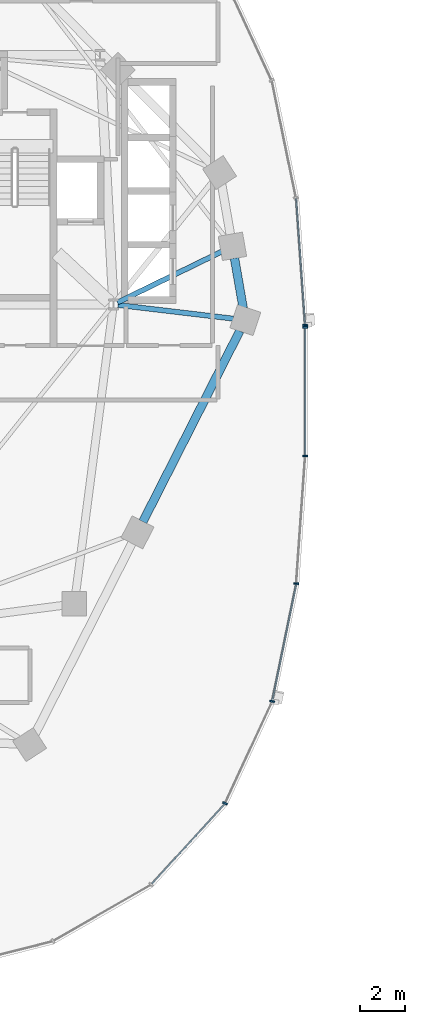
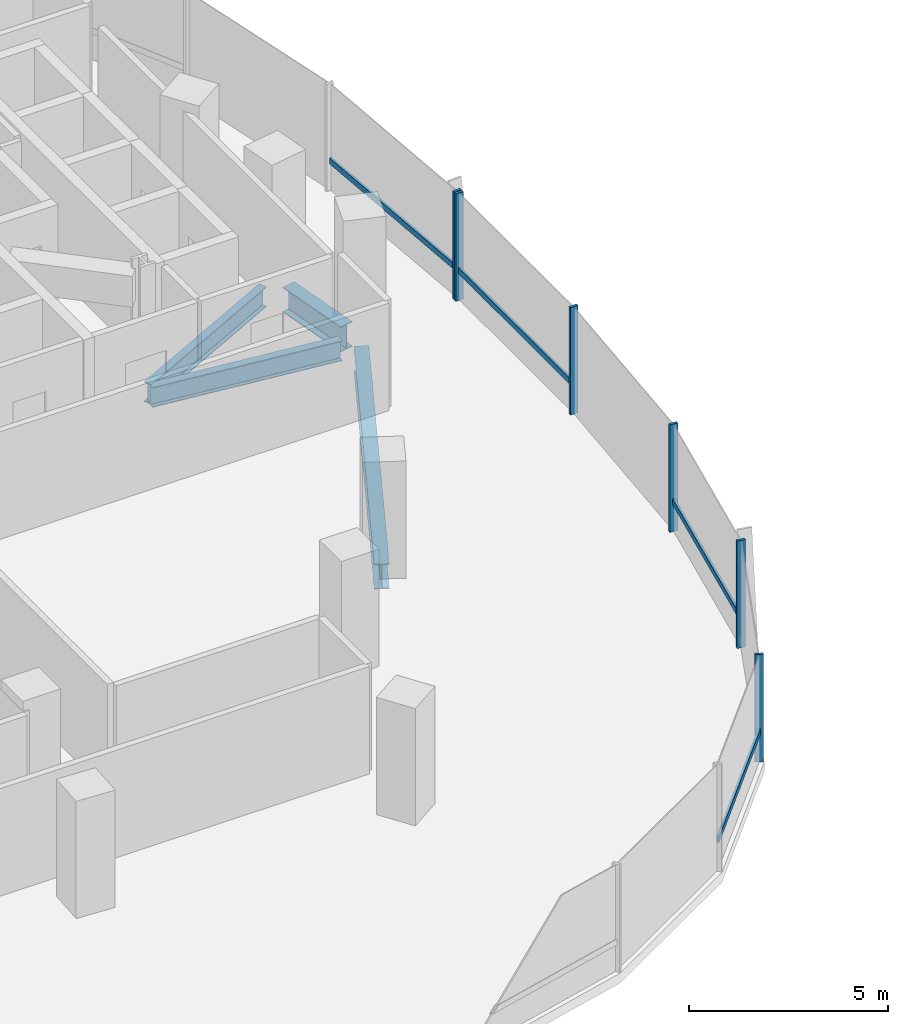
# One storey, part 3 of 21: 10 members, 4 beams, 2 elements without a shape of their own.
"""IFC4 building model written with IfcOpenShell, lengths in metres."""

import ifcopenshell
import ifcopenshell.guid

model = None  # the IFC model being written
_history = None  # IfcOwnerHistory: only IFC2X3 demands one
_inside = {}  # id of a spatial element -> (the spatial element, [elements in it])
_under = {}  # id of a project, library or spatial element -> (it, [spatial elements below it])
_declared = {}  # id of a project -> (the project, [libraries it declares])
_typed = {}  # id of a type object -> (the type object, [elements of that type])
_made_of = {}  # id of a material, layer set ... -> (it, [elements and type objects made of it])


def new_model(schema):
    """Start an empty IFC model of exactly this schema.

    Asked for "IFC4X3", IfcOpenShell would pick the latest addendum, in which some entities
    have other attributes; the version numbers below select the first issue.
    IFC2X3 requires an IfcOwnerHistory on every rooted entity: one is made here for all.
    """
    global model, _history
    if schema == "IFC4X3":
        model = ifcopenshell.file(schema_version=(4, 3, 0, 0))
    else:
        model = ifcopenshell.file(schema=schema)
    _inside.clear()
    _under.clear()
    _declared.clear()
    _typed.clear()
    _made_of.clear()
    _history = None
    if model.schema == "IFC2X3":
        org = make("IfcOrganization", Name="unknown")
        user = make(
            "IfcPersonAndOrganization",
            ThePerson=make("IfcPerson", FamilyName="unknown"),
            TheOrganization=org,
        )
        app = make(
            "IfcApplication",
            ApplicationDeveloper=org,
            Version="unknown",
            ApplicationFullName="unknown",
            ApplicationIdentifier="unknown",
        )
        _history = make(
            "IfcOwnerHistory",
            OwningUser=user,
            OwningApplication=app,
            ChangeAction="ADDED",
            CreationDate=0,
        )
    return model


def make(cls, **values):
    """One entity of the class cls with the attributes given. An attribute that is None is left unset."""
    return model.create_entity(
        cls, **{name: value for name, value in values.items() if value is not None}
    )


def rooted(cls, **values):
    """An entity with a GlobalId (a new one), such as an element, a storey or a relation."""
    return make(cls, GlobalId=ifcopenshell.guid.new(), OwnerHistory=_history, **values)


def si_unit(unit_type, name, prefix=None):
    """IfcSIUnit, for example si_unit("LENGTHUNIT", "METRE", prefix="MILLI")."""
    return make("IfcSIUnit", UnitType=unit_type, Prefix=prefix, Name=name)


def assignment(units):
    """IfcUnitAssignment: the units of a project."""
    return None if units is None else make("IfcUnitAssignment", Units=units)


def point(xyz):
    """IfcCartesianPoint."""
    return None if xyz is None else make("IfcCartesianPoint", Coordinates=xyz)


def direction(xyz):
    """IfcDirection."""
    return None if xyz is None else make("IfcDirection", DirectionRatios=xyz)


def frame(location, z_axis=None, x_axis=None):
    """IfcAxis2Placement3D, a coordinate frame: its origin and axes. An axis left out is left unset."""
    return make(
        "IfcAxis2Placement3D",
        Location=point(location),
        Axis=direction(z_axis),
        RefDirection=direction(x_axis),
    )


def frame_2d(location, x_axis=None):
    """IfcAxis2Placement2D, a coordinate frame in the plane: its origin and x axis."""
    return make(
        "IfcAxis2Placement2D", Location=point(location), RefDirection=direction(x_axis)
    )


def origin():
    """The frame at (0, 0, 0) with its axes left unset."""
    return frame((0.0, 0.0, 0.0))


def origin_2d():
    """The frame at (0, 0) in the plane with its x axis left unset."""
    return frame_2d((0.0, 0.0))


def place(relative_to, where):
    """IfcLocalPlacement: puts the frame where relative to a parent placement (None: the world)."""
    return make(
        "IfcLocalPlacement", PlacementRelTo=relative_to, RelativePlacement=where
    )


def context(
    kind, dimensions, precision=None, world=None, true_north=None, identifier=None
):
    """IfcGeometricRepresentationContext, for example the 3D "Model" context."""
    return make(
        "IfcGeometricRepresentationContext",
        ContextIdentifier=identifier,
        ContextType=kind,
        CoordinateSpaceDimension=dimensions,
        Precision=precision,
        WorldCoordinateSystem=world,
        TrueNorth=true_north,
    )


def subcontext(parent, identifier, kind, view, scale=None):
    """IfcGeometricRepresentationSubContext, for example "Body" below "Model"."""
    return make(
        "IfcGeometricRepresentationSubContext",
        ContextIdentifier=identifier,
        ContextType=kind,
        ParentContext=parent,
        TargetScale=scale,
        TargetView=view,
    )


def project(units=None, contexts=None):
    """IfcProject with its units and contexts."""
    return rooted(
        "IfcProject",
        Name="project",
        RepresentationContexts=contexts,
        UnitsInContext=assignment(units),
    )


def spatial(cls, under=None, at=None, **own):
    """A site, building, storey or space (cls), placed at a placement, below another one or the project."""
    s = rooted(cls, ObjectPlacement=at, **own)
    if under is not None:
        _under.setdefault(under.id(), (under, []))[1].append(s)
    return s


def profile(cls, at=None, kind="AREA", **sizes):
    """A parametric profile (cls). Its sizes go by their IFC names, for example OverallWidth=200.0."""
    return make(cls, ProfileType=kind, Position=at, **sizes)


def rectangle(**sizes):
    """IfcRectangleProfileDef."""
    return profile("IfcRectangleProfileDef", **sizes)


def i_section(**sizes):
    """IfcIShapeProfileDef."""
    return profile("IfcIShapeProfileDef", **sizes)


def extrude(swept, where, along, depth):
    """IfcExtrudedAreaSolid: the profile swept, set in the frame where, extruded along a direction by depth."""
    return make(
        "IfcExtrudedAreaSolid",
        SweptArea=swept,
        Position=where,
        ExtrudedDirection=direction(along),
        Depth=depth,
    )


def shape(context_of_items, identifier, shape_type, items):
    """IfcShapeRepresentation: the items that make up one representation, for example the "Body"."""
    return make(
        "IfcShapeRepresentation",
        ContextOfItems=context_of_items,
        RepresentationIdentifier=identifier,
        RepresentationType=shape_type,
        Items=items,
    )


def material(Name=None, Category=None):
    """IfcMaterial."""
    return make("IfcMaterial", Name=Name, Category=Category)


def material_profile(
    of_material, cross_section, Name=None, Category=None, Priority=None
):
    """IfcMaterialProfile: a cross section and its material."""
    return make(
        "IfcMaterialProfile",
        Name=Name,
        Material=of_material,
        Profile=cross_section,
        Priority=Priority,
        Category=Category,
    )


def profile_set(profiles, Name=None, composite=None):
    """IfcMaterialProfileSet."""
    return make(
        "IfcMaterialProfileSet",
        Name=Name,
        MaterialProfiles=profiles,
        CompositeProfile=composite,
    )


def made_of(thing, what):
    """Note that an element or type object is made of a material, layer set ...; save() writes the relation."""
    if what is not None:
        _made_of.setdefault(what.id(), (what, []))[1].append(thing)
    return thing


def type_object(cls, material=None, **own):
    """A type object (cls), such as IfcWallType, which elements share."""
    return made_of(rooted(cls, **own), material)


def element(
    cls,
    number,
    at=None,
    inside=None,
    cuts=None,
    type_object=None,
    material=None,
    context=None,
    identifier="Body",
    shape_type=None,
    held_by="IfcProductDefinitionShape",
    body=None,
    shapes=None,
    **own,
):
    """One element of the class cls, such as IfcWall. Its Tag is "e" and its number.

    at: its placement. inside: the storey or other place that contains it. cuts: it is an
    opening in that element (IfcRelVoidsElement). A single representation is given by context,
    identifier, shape_type and body (its items); several are given by shapes. held_by: the class
    of the entity that holds the representations. save() writes the other relations.
    """
    e = rooted(cls, Tag="e%d" % number, ObjectPlacement=at, **own)
    if body is not None:
        shapes = [shape(context, identifier, shape_type, body)]
    if shapes is not None:
        e.Representation = make(held_by, Representations=shapes)
    if inside is not None:
        _inside.setdefault(inside.id(), (inside, []))[1].append(e)
    if cuts is not None:
        rooted(
            "IfcRelVoidsElement", RelatingBuildingElement=cuts, RelatedOpeningElement=e
        )
    if type_object is not None:
        _typed.setdefault(type_object.id(), (type_object, []))[1].append(e)
    return made_of(e, material)


def aggregate(whole, parts):
    """IfcRelAggregates: a whole, such as a stair, and the parts it consists of."""
    return rooted("IfcRelAggregates", RelatingObject=whole, RelatedObjects=parts)


def save(model, path):
    """Write the relations noted so far, then the file.

    IfcRelAggregates (storeys below a building ...), IfcRelContainedInSpatialStructure (elements
    in a storey), IfcRelDefinesByType, IfcRelAssociatesMaterial and IfcRelDeclares: one each for
    every whole, place, type object, material and project.
    """
    for whole, parts in _under.values():
        aggregate(whole, parts)
    for where, things in _inside.values():
        rooted(
            "IfcRelContainedInSpatialStructure",
            RelatedElements=things,
            RelatingStructure=where,
        )
    for kind, things in _typed.values():
        rooted("IfcRelDefinesByType", RelatedObjects=things, RelatingType=kind)
    for what, things in _made_of.values():
        rooted("IfcRelAssociatesMaterial", RelatedObjects=things, RelatingMaterial=what)
    for by, libraries in _declared.values():
        rooted("IfcRelDeclares", RelatingContext=by, RelatedDefinitions=libraries)
    model.write(path)


model = new_model("IFC4")

# Units and contexts
model_context = context("Model", 3, precision=1e-05, world=origin(), true_north=direction((0.0, 1.0)))
body_context = subcontext(model_context, "Body", "Model", "MODEL_VIEW")
ifc_project = project(units=[si_unit("LENGTHUNIT", "METRE"), si_unit("AREAUNIT", "SQUARE_METRE"), si_unit("VOLUMEUNIT", "CUBIC_METRE"), si_unit("PLANEANGLEUNIT", "RADIAN"), si_unit("MASSUNIT", "GRAM", prefix="KILO"), si_unit("THERMODYNAMICTEMPERATUREUNIT", "KELVIN"), si_unit("POWERUNIT", "WATT")], contexts=[model_context])

# Site, building, storey
site_placement = place(None, origin())
site = spatial("IfcSite", under=ifc_project, at=site_placement, CompositionType="ELEMENT")
building_placement = place(site_placement, origin())
building = spatial("IfcBuilding", under=site, at=building_placement, Name="Cundina Bronze Exchange", CompositionType="ELEMENT")
storey_placement = place(building_placement, frame((0.0, 0.0, 89.0)))
storey = spatial("IfcBuildingStorey", under=building, at=storey_placement, Name="L22", CompositionType="ELEMENT", Elevation=89.0)

# Beams
ifc_material_1 = material(Name="Steel ASTM A992 Grade 50", Category="steel")
ifc_material_profile_1 = material_profile(ifc_material_1, i_section(OverallWidth=0.22998046875, OverallDepth=0.616943359375, WebThickness=0.01318359375, FlangeThickness=0.022216796875, FilletRadius=0.013916015625, at=origin_2d()), Name="W24X94", Category="steel")
ifc_profile_set_1 = profile_set([ifc_material_profile_1], Name="Steel ASTM A992 Grade 50")
beam_type_1 = type_object("IfcBeamType", Name="BM-FLR-W24B", PredefinedType="BEAM", material=ifc_profile_set_1)
beam_1_placement = place(storey_placement, frame((-21.247314453125, 3.8759765625, -0.6083984375), z_axis=(0.993035701683, -0.117813815752, 0.0), x_axis=(0.117813815752, 0.993035701683, 0.0)))
element("IfcBeam", 1, at=beam_1_placement, inside=storey, type_object=beam_type_1, Name="L22 Leg W Radial Floor Beam 00", PredefinedType="BEAM", context=body_context, shape_type="SweptSolid", body=[
    extrude(i_section(OverallWidth=0.22998046875, OverallDepth=0.616943359375, WebThickness=0.01318359375, FlangeThickness=0.022216796875, FilletRadius=0.013916015625, at=origin_2d()), origin(), (0.0, 0.0, 1.0), 5.19921875),
])
beam_2_placement = place(storey_placement, frame((-21.2666015625, 3.989501953125, -0.6083984375), z_axis=(0.898607246385, 0.438753936443, 0.0), x_axis=(-0.438753936443, 0.898607246385, 0.0)))
element("IfcBeam", 2, at=beam_2_placement, inside=storey, type_object=beam_type_1, Name="L22 Leg W Radial Floor Beam 01", PredefinedType="BEAM", context=body_context, shape_type="SweptSolid", body=[
    extrude(i_section(OverallWidth=0.22998046875, OverallDepth=0.616943359375, WebThickness=0.01318359375, FlangeThickness=0.022216796875, FilletRadius=0.013916015625, at=origin_2d()), origin(), (0.0, 0.0, 1.0), 5.183837890625),
])
ifc_material_profile_2 = material_profile(ifc_material_1, i_section(OverallWidth=0.381103515625, OverallDepth=0.77294921875, WebThickness=0.0166015625, FlangeThickness=0.027099609375, FilletRadius=0.01904296875, at=origin_2d()), Name="W30X173", Category="steel")
ifc_profile_set_2 = profile_set([ifc_material_profile_2], Name="Steel ASTM A992 Grade 50")
beam_type_2 = type_object("IfcBeamType", Name="BM-RING-W30", PredefinedType="USERDEFINED", material=ifc_profile_set_2)
beam_3_placement = place(storey_placement, frame((-15.642333984375, 3.72998046875, -0.6865234375), z_axis=(-0.171690078326, 0.985151012284, 0.0), x_axis=(-0.985151012284, -0.171690078326, 0.0)))
element("IfcBeam", 3, at=beam_3_placement, inside=storey, type_object=beam_type_2, Name="L22 W Perimeter Ring Girder 00", ObjectType="GIRDER", PredefinedType="USERDEFINED", context=body_context, shape_type="SweptSolid", body=[
    extrude(i_section(OverallWidth=0.381103515625, OverallDepth=0.77294921875, WebThickness=0.0166015625, FlangeThickness=0.027099609375, FilletRadius=0.01904296875, at=origin_2d()), origin(), (0.0, 0.0, 1.0), 2.273681640625),
])
beam_4_placement = place(storey_placement, frame((-20.13134765625, -5.8203125, -0.6865234375), z_axis=(0.452832332744, 0.891595692241, 0.0), x_axis=(-0.891595692241, 0.452832332744, 0.0)))
element("IfcBeam", 4, at=beam_4_placement, inside=storey, type_object=beam_type_2, Name="L22 W Perimeter Ring Girder 13", ObjectType="GIRDER", PredefinedType="USERDEFINED", context=body_context, shape_type="SweptSolid", body=[
    extrude(i_section(OverallWidth=0.381103515625, OverallDepth=0.77294921875, WebThickness=0.0166015625, FlangeThickness=0.027099609375, FilletRadius=0.01904296875, at=origin_2d()), origin(), (0.0, 0.0, 1.0), 9.578857421875),
])

# Curtain wall, member
ifc_material_2 = material(Name="Anodised Bronze Aluminium 6063-T6", Category="aluminium")
curtain_wall_type = type_object("IfcCurtainWallType", Name="CWS-TRD-MID", PredefinedType="NOTDEFINED", material=ifc_material_2)
curtain_wall_1_placement = place(storey_placement, origin())
curtain_wall_1 = element("IfcCurtainWall", 5, at=curtain_wall_1_placement, inside=storey, type_object=curtain_wall_type, Name="L22 CW-03 Curtain Wall Run CWR-L22-W1", PredefinedType="NOTDEFINED")
ifc_material_profile_3 = material_profile(ifc_material_2, rectangle(XDim=0.074951171875, YDim=0.219970703125, at=origin_2d()), Name="AL75X220", Category="aluminium")
ifc_profile_set_3 = profile_set([ifc_material_profile_3], Name="Anodised Bronze Aluminium 6063-T6")
member_type_1 = type_object("IfcMemberType", Name="CWM-MUL-220", PredefinedType="MULLION", material=ifc_profile_set_3)
member_1_placement = place(storey_placement, frame((-12.87548828125, 2.976318359375, 0.0), z_axis=(0.0, 0.0, 1.0), x_axis=(-0.070278787473, 0.997527389113, 0.0)))
member_1 = element("IfcMember", 6, at=member_1_placement, type_object=member_type_1, Name="CW-03 Mullion 1", PredefinedType="MULLION", context=body_context, shape_type="SweptSolid", body=[
    extrude(rectangle(XDim=0.074951171875, YDim=0.219970703125, at=origin_2d()), origin(), (0.0, 0.0, 1.0), 3.300048828125),
])

# Curtain wall, members
curtain_wall_2_placement = place(storey_placement, origin())
curtain_wall_2 = element("IfcCurtainWall", 7, at=curtain_wall_2_placement, inside=storey, type_object=curtain_wall_type, Name="L22 CW-03 Curtain Wall Run CWR-L22-W4", PredefinedType="NOTDEFINED")
member_2_placement = place(storey_placement, frame((-16.455810546875, -18.423583984375, 0.0), z_axis=(0.0, 0.0, 1.0), x_axis=(0.42087749791, 0.907117485088, 0.0)))
member_2 = element("IfcMember", 8, at=member_2_placement, type_object=member_type_1, Name="CW-03 Mullion 4", PredefinedType="MULLION", context=body_context, shape_type="SweptSolid", body=[
    extrude(rectangle(XDim=0.074951171875, YDim=0.219970703125, at=origin_2d()), origin(), (0.0, 0.0, 1.0), 3.300048828125),
])
member_3_placement = place(storey_placement, frame((-14.348876953125, -13.861328125, 0.0), z_axis=(0.0, 0.0, 1.0), x_axis=(0.201419845156, 0.979505000486, 0.0)))
member_3 = element("IfcMember", 9, at=member_3_placement, type_object=member_type_1, Name="CW-03 Mullion 5", PredefinedType="MULLION", context=body_context, shape_type="SweptSolid", body=[
    extrude(rectangle(XDim=0.074951171875, YDim=0.219970703125, at=origin_2d()), origin(), (0.0, 0.0, 1.0), 3.300048828125),
])
member_4_placement = place(storey_placement, frame((-13.27099609375, -8.591552734375, 0.0), z_axis=(0.0, 0.0, 1.0), x_axis=(0.070278787473, 0.997527389113, 0.0)))
member_4 = element("IfcMember", 10, at=member_4_placement, type_object=member_type_1, Name="CW-03 Mullion 6", PredefinedType="MULLION", context=body_context, shape_type="SweptSolid", body=[
    extrude(rectangle(XDim=0.074951171875, YDim=0.219970703125, at=origin_2d()), origin(), (0.0, 0.0, 1.0), 3.300048828125),
])
member_5_placement = place(storey_placement, frame((-12.8720703125, -2.880615234375, 0.0), z_axis=(0.0, 0.0, 1.0), x_axis=(0.0, 1.0, 0.0)))
member_5 = element("IfcMember", 11, at=member_5_placement, type_object=member_type_1, Name="CW-03 Mullion 7", PredefinedType="MULLION", context=body_context, shape_type="SweptSolid", body=[
    extrude(rectangle(XDim=0.074951171875, YDim=0.219970703125, at=origin_2d()), origin(), (0.0, 0.0, 1.0), 3.300048828125),
])
member_6_placement = place(storey_placement, frame((-12.8720703125, 2.880615234375, 0.0), z_axis=(0.0, 0.0, 1.0), x_axis=(0.0, 1.0, 0.0)))
member_6 = element("IfcMember", 12, at=member_6_placement, type_object=member_type_1, Name="CW-03 End Mullion", PredefinedType="MULLION", context=body_context, shape_type="SweptSolid", body=[
    extrude(rectangle(XDim=0.074951171875, YDim=0.219970703125, at=origin_2d()), origin(), (0.0, 0.0, 1.0), 3.300048828125),
])

# Member
ifc_material_profile_4 = material_profile(ifc_material_2, rectangle(XDim=0.070068359375, YDim=0.179931640625, at=origin_2d()), Name="AL70X180", Category="aluminium")
ifc_profile_set_4 = profile_set([ifc_material_profile_4], Name="Anodised Bronze Aluminium 6063-T6")
member_type_2 = type_object("IfcMemberType", Name="CWM-TRN-180", PredefinedType="USERDEFINED", material=ifc_profile_set_4)
member_7_placement = place(storey_placement, frame((-12.87841796875, 3.017333984375, 0.919921875), z_axis=(-0.070260714471, 0.997528662246, 0.0), x_axis=(-0.997528662246, -0.070260714471, 0.0)))
member_7 = element("IfcMember", 13, at=member_7_placement, type_object=member_type_2, Name="CW-03 Spandrel Transom 1", ObjectType="TRANSOM", PredefinedType="USERDEFINED", context=body_context, shape_type="SweptSolid", body=[
    extrude(rectangle(XDim=0.070068359375, YDim=0.179931640625, at=origin_2d()), origin(), (0.0, 0.0, 1.0), 5.629150390625),
])

aggregate(curtain_wall_1, [member_1, member_7])

member_8_placement = place(storey_placement, frame((-19.73291015625, -22.027099609375, 0.919921875), z_axis=(0.674302794847, 0.738454968743, 0.0), x_axis=(-0.738454968743, 0.674302794847, 0.0)))
member_8 = element("IfcMember", 14, at=member_8_placement, type_object=member_type_2, Name="CW-03 Spandrel Transom 3", ObjectType="TRANSOM", PredefinedType="USERDEFINED", context=body_context, shape_type="SweptSolid", body=[
    extrude(rectangle(XDim=0.070068359375, YDim=0.179931640625, at=origin_2d()), origin(), (0.0, 0.0, 1.0), 4.848388671875),
])

member_9_placement = place(storey_placement, frame((-14.340576171875, -13.821044921875, 0.919921875), z_axis=(0.201427712708, 0.979503382615, 0.0), x_axis=(-0.979503382615, 0.201427712708, 0.0)))
member_9 = element("IfcMember", 15, at=member_9_placement, type_object=member_type_2, Name="CW-03 Spandrel Transom 5", ObjectType="TRANSOM", PredefinedType="USERDEFINED", context=body_context, shape_type="SweptSolid", body=[
    extrude(rectangle(XDim=0.070068359375, YDim=0.179931640625, at=origin_2d()), origin(), (0.0, 0.0, 1.0), 5.291748046875),
])

member_10_placement = place(storey_placement, frame((-12.8720703125, -2.839111328125, 0.919921875), z_axis=(0.0, 1.0, 0.0), x_axis=(-1.0, 0.0, 0.0)))
member_10 = element("IfcMember", 16, at=member_10_placement, type_object=member_type_2, Name="CW-03 Spandrel Transom 7", ObjectType="TRANSOM", PredefinedType="USERDEFINED", context=body_context, shape_type="SweptSolid", body=[
    extrude(rectangle(XDim=0.070068359375, YDim=0.179931640625, at=origin_2d()), origin(), (0.0, 0.0, 1.0), 5.67822265625),
])

aggregate(curtain_wall_2, [member_8, member_2, member_3, member_9, member_4, member_5, member_6, member_10])

save(model, "model.ifc")
